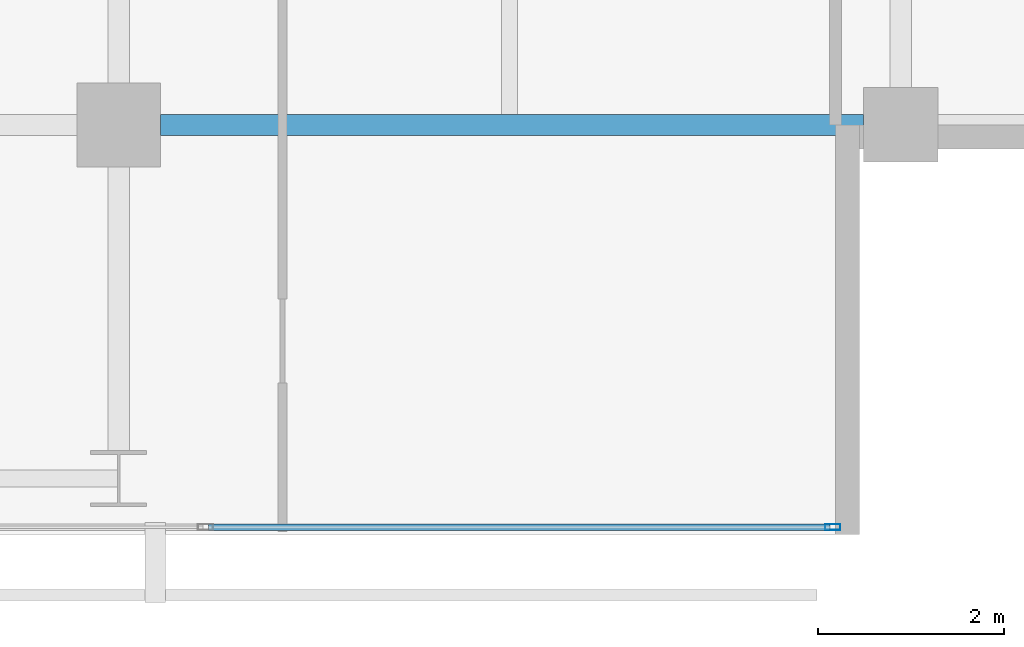
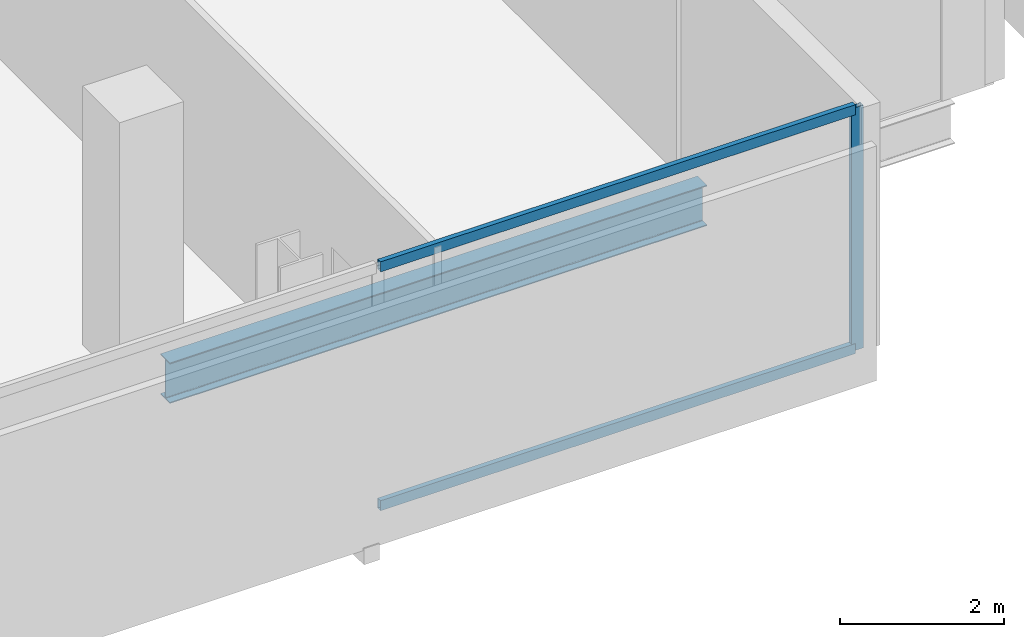
# One storey, part 13 of 33: 3 members, 1 beam, 1 element without a shape of its own.
"""IFC4 building model written with IfcOpenShell, lengths in metres."""

from ifc_helpers import new_model, si_unit, direction, frame, origin, origin_2d, place, context, subcontext, project, spatial, hollow_rectangle, i_section, extrude, material, layer, layer_set, material_profile, profile_set, type_object, element, aggregate, save


model = new_model("IFC4")

# Units and contexts
model_context = context("Model", 3, precision=1e-05, world=origin(), true_north=direction((0.0, 1.0)))
body_context = subcontext(model_context, "Body", "Model", "MODEL_VIEW")
ifc_project = project(units=[si_unit("LENGTHUNIT", "METRE"), si_unit("AREAUNIT", "SQUARE_METRE"), si_unit("VOLUMEUNIT", "CUBIC_METRE"), si_unit("PLANEANGLEUNIT", "RADIAN"), si_unit("MASSUNIT", "GRAM", prefix="KILO")], contexts=[model_context])

# Site, building, storey
site_placement = place(None, origin())
site = spatial("IfcSite", under=ifc_project, at=site_placement, CompositionType="ELEMENT")
building_placement = place(site_placement, origin())
building = spatial("IfcBuilding", under=site, at=building_placement, Name="Maruvema Waterfront Hotel and Observation Tower", CompositionType="ELEMENT")
storey_placement = place(building_placement, frame((0.0, 0.0, 169.75)))
storey = spatial("IfcBuildingStorey", under=building, at=storey_placement, Name="L41", CompositionType="ELEMENT", Elevation=169.75)

# Curtain wall, members
ifc_material_1 = material(Name="Anodised bronze aluminium and solar-control low-E IGU", Category="aluminium")
ifc_layer = layer(ifc_material_1, 0.159912109375, Name="Zone 2 Amber Inner Thermal Curtain Wall System CW-03")
ifc_layer_set = layer_set([ifc_layer], Name="Anodised bronze aluminium and solar-control low-E IGU")
curtain_wall_type = type_object("IfcCurtainWallType", Name="Zone 2 Amber Inner Thermal Curtain Wall System CW-03", PredefinedType="USERDEFINED", material=ifc_layer_set)
curtain_wall_placement = place(storey_placement, origin())
curtain_wall = element("IfcCurtainWall", 1, at=curtain_wall_placement, inside=storey, type_object=curtain_wall_type, Name="L41 Curtain Wall CW-L41-S", ObjectType="UNITISED CURTAIN WALL", PredefinedType="USERDEFINED")
ifc_material_2 = material(Name="Anodised architectural bronze aluminium", Category="aluminium")
ifc_material_profile_1 = material_profile(ifc_material_2, hollow_rectangle(XDim=0.070068359375, YDim=0.14990234375, WallThickness=0.00390625, at=origin_2d()), Name="ALU-T70x150")
ifc_profile_set_1 = profile_set([ifc_material_profile_1], Name="Anodised architectural bronze aluminium")
member_type_1 = type_object("IfcMemberType", Name="Curtain Wall Horizontal Transom ALU-T70x150", PredefinedType="USERDEFINED", material=ifc_profile_set_1)
member_1_placement = place(storey_placement, frame((51.36328125, 4.679931640625, 0.030029296875), z_axis=(1.0, 0.0, 0.0), x_axis=(0.0, 1.0, 0.0)))
member_1 = element("IfcMember", 2, at=member_1_placement, type_object=member_type_1, Name="CW-03 transom 6.1", ObjectType="TRANSOM", PredefinedType="USERDEFINED", context=body_context, shape_type="SweptSolid", body=[
    extrude(hollow_rectangle(XDim=0.070068359375, YDim=0.14990234375, WallThickness=0.00390625, at=origin_2d()), origin(), (0.0, 0.0, 1.0), 6.6767578125),
])
member_2_placement = place(storey_placement, frame((51.36328125, 4.679931640625, 3.580078125), z_axis=(1.0, 0.0, 0.0), x_axis=(0.0, 1.0, 0.0)))
member_2 = element("IfcMember", 3, at=member_2_placement, type_object=member_type_1, Name="CW-03 transom 6.2", ObjectType="TRANSOM", PredefinedType="USERDEFINED", context=body_context, shape_type="SweptSolid", body=[
    extrude(hollow_rectangle(XDim=0.070068359375, YDim=0.14990234375, WallThickness=0.00390625, at=origin_2d()), origin(), (0.0, 0.0, 1.0), 6.6767578125),
])
ifc_material_3 = material(Name="Anodised architectural bronze aluminium", Category="aluminium")
ifc_material_profile_2 = material_profile(ifc_material_3, hollow_rectangle(XDim=0.06494140625, YDim=0.1650390625, WallThickness=0.00390625, at=origin_2d()), Name="ALU-M65x165")
ifc_profile_set_2 = profile_set([ifc_material_profile_2], Name="Anodised architectural bronze aluminium")
member_type_2 = type_object("IfcMemberType", Name="Curtain Wall Primary Mullion ALU-M65x165", PredefinedType="MULLION", material=ifc_profile_set_2)
member_3_placement = place(storey_placement, frame((58.070068359375, 4.679931640625, 0.0), z_axis=(0.0, 0.0, 1.0), x_axis=(0.0, 1.0, 0.0)))
member_3 = element("IfcMember", 4, at=member_3_placement, type_object=member_type_2, Name="CW-03 mullion 7", PredefinedType="MULLION", context=body_context, shape_type="SweptSolid", body=[
    extrude(hollow_rectangle(XDim=0.06494140625, YDim=0.1650390625, WallThickness=0.00390625, at=origin_2d()), origin(), (0.0, 0.0, 1.0), 3.610107421875),
])
aggregate(curtain_wall, [member_3, member_1, member_2])

# Beam
ifc_material_4 = material(Name="Steel ASTM A572 Grade 50", Category="steel")
ifc_material_profile_3 = material_profile(ifc_material_4, i_section(OverallWidth=0.22802734375, OverallDepth=0.60302734375, WebThickness=0.010498046875, FlangeThickness=0.014892578125, FilletRadius=0.01806640625, at=origin_2d()), Name="W610x101.0")
ifc_profile_set_3 = profile_set([ifc_material_profile_3], Name="Steel ASTM A572 Grade 50")
beam_type = type_object("IfcBeamType", Name="Primary Floor Girder W610x101.0", PredefinedType="BEAM", material=ifc_profile_set_3)
beam_placement = place(storey_placement, frame((50.85009765625, 9.0, -0.54150390625), z_axis=(1.0, 0.0, 0.0), x_axis=(0.0, 1.0, 0.0)))
element("IfcBeam", 5, at=beam_placement, inside=storey, type_object=beam_type, Name="L41 Floor Girder EW-09", PredefinedType="BEAM", context=body_context, shape_type="SweptSolid", body=[
    extrude(i_section(OverallWidth=0.22802734375, OverallDepth=0.60302734375, WebThickness=0.010498046875, FlangeThickness=0.014892578125, FilletRadius=0.01806640625, at=origin_2d()), origin(), (0.0, 0.0, 1.0), 7.5498046875),
])

save(model, "model.ifc")
